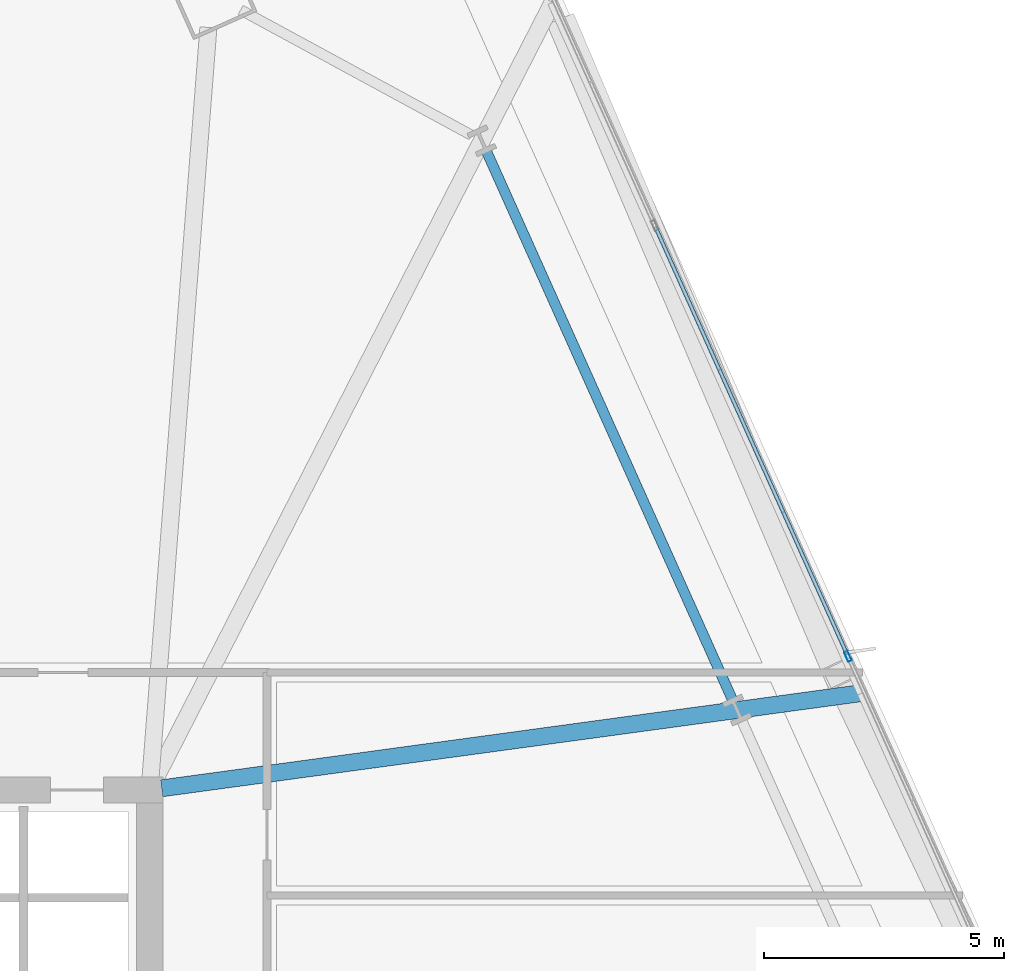
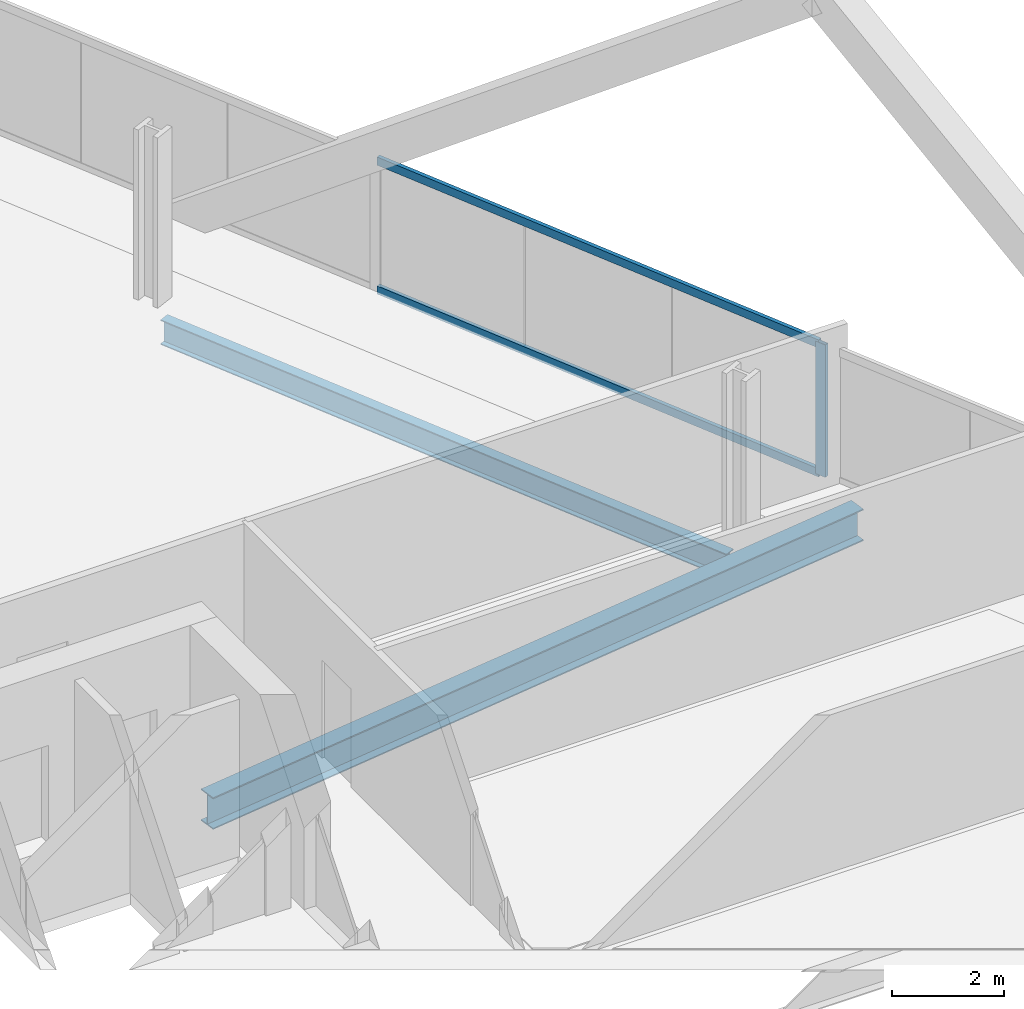
# One storey, part 21 of 38: 3 members, 2 beams, 1 element without a shape of its own.
"""IFC4 building model written with IfcOpenShell, lengths in metres."""

from ifc_helpers import new_model, si_unit, direction, frame, origin, origin_2d, place, context, subcontext, project, spatial, hollow_rectangle, i_section, extrude, material, material_profile, profile_set, type_object, element, aggregate, save


model = new_model("IFC4")

# Units and contexts
model_context = context("Model", 3, precision=1e-05, world=origin(), true_north=direction((0.0, 1.0)))
body_context = subcontext(model_context, "Body", "Model", "MODEL_VIEW")
ifc_project = project(units=[si_unit("LENGTHUNIT", "METRE"), si_unit("AREAUNIT", "SQUARE_METRE"), si_unit("VOLUMEUNIT", "CUBIC_METRE"), si_unit("PLANEANGLEUNIT", "RADIAN"), si_unit("MASSUNIT", "GRAM", prefix="KILO")], contexts=[model_context])

# Site, building, storey
site_placement = place(None, origin())
site = spatial("IfcSite", under=ifc_project, at=site_placement, CompositionType="ELEMENT")
building_placement = place(site_placement, origin())
building = spatial("IfcBuilding", under=site, at=building_placement, Name="Haldenkirk Collegiate Tower", CompositionType="ELEMENT")
storey_placement = place(building_placement, frame((0.0, 0.0, 109.199951171875)))
storey = spatial("IfcBuildingStorey", under=building, at=storey_placement, Name="L26", CompositionType="ELEMENT", Elevation=109.199951171875)

# Beams
ifc_material_1 = material(Name="Steel ASTM A992 Grade 50", Category="steel")
ifc_material_profile_1 = material_profile(ifc_material_1, i_section(OverallWidth=0.35498046875, OverallDepth=0.696044921875, WebThickness=0.015380859375, FlangeThickness=0.02490234375, at=origin_2d()), Name="W27X146")
ifc_profile_set_1 = profile_set([ifc_material_profile_1], Name="Steel ASTM A992 Grade 50")
beam_type_1 = type_object("IfcBeamType", Name="BM-GIRDER-W27X146", PredefinedType="BEAM", material=ifc_profile_set_1)
beam_1_placement = place(storey_placement, frame((59.868408203125, 36.022705078125, -0.64794921875), z_axis=(-0.990873426399, -0.134795596576, 0.0), x_axis=(0.134795596576, -0.990873426399, 0.0)))
element("IfcBeam", 1, at=beam_1_placement, inside=storey, type_object=beam_type_1, Name="L26 primary floor girder 09", PredefinedType="BEAM", context=body_context, shape_type="SweptSolid", body=[
    extrude(i_section(OverallWidth=0.35498046875, OverallDepth=0.696044921875, WebThickness=0.015380859375, FlangeThickness=0.02490234375, at=origin_2d()), origin(), (0.0, 0.0, 1.0), 14.750244140625),
])
ifc_material_profile_2 = material_profile(ifc_material_1, i_section(OverallWidth=0.2119140625, OverallDepth=0.5439453125, WebThickness=0.01318359375, FlangeThickness=0.021240234375, at=origin_2d()), Name="W21X83")
ifc_profile_set_2 = profile_set([ifc_material_profile_2], Name="Steel ASTM A992 Grade 50")
beam_type_2 = type_object("IfcBeamType", Name="BM-SPANDREL-W21X83", PredefinedType="SPANDREL", material=ifc_profile_set_2)
beam_2_placement = place(storey_placement, frame((57.15478515625, 35.89111328125, -0.572021484375), z_axis=(-0.409131464477, 0.912475448861, 0.0), x_axis=(-0.912475448861, -0.409131464477, 0.0)))
element("IfcBeam", 2, at=beam_2_placement, inside=storey, type_object=beam_type_2, Name="L26 perimeter spandrel beam 07", PredefinedType="SPANDREL", context=body_context, shape_type="SweptSolid", body=[
    extrude(i_section(OverallWidth=0.2119140625, OverallDepth=0.5439453125, WebThickness=0.01318359375, FlangeThickness=0.021240234375, at=origin_2d()), origin(), (0.0, 0.0, 1.0), 12.524169921875),
])

# Curtain wall, members
ifc_material_2 = material(Name="Anodised architectural bronze aluminium", Category="aluminium")
curtain_wall_type = type_object("IfcCurtainWallType", Name="CW-SYS1-CONVEX-LOW", PredefinedType="USERDEFINED", material=ifc_material_2)
curtain_wall_placement = place(storey_placement, origin())
curtain_wall = element("IfcCurtainWall", 3, at=curtain_wall_placement, inside=storey, type_object=curtain_wall_type, Name="L26 Lower tower convex bronze-framed unitised curtain wall", ObjectType="UNITISED CURTAIN WALL", PredefinedType="USERDEFINED")
ifc_material_profile_3 = material_profile(ifc_material_2, hollow_rectangle(XDim=0.080078125, YDim=0.219970703125, WallThickness=0.0048828125, at=origin_2d()), Name="CW-MUL-1A")
ifc_profile_set_3 = profile_set([ifc_material_profile_3], Name="Anodised architectural bronze aluminium")
member_type_1 = type_object("IfcMemberType", Name="CW-MUL-1A", PredefinedType="MULLION", material=ifc_profile_set_3)
member_1_placement = place(storey_placement, frame((59.569580078125, 36.787109375, 0.0), z_axis=(0.0, 0.0, 1.0), x_axis=(0.912476490018, 0.409129142403, 0.0)))
member_1 = element("IfcMember", 4, at=member_1_placement, type_object=member_type_1, Name="CW-1A mullion 3", PredefinedType="MULLION", context=body_context, shape_type="SweptSolid", body=[
    extrude(hollow_rectangle(XDim=0.080078125, YDim=0.219970703125, WallThickness=0.0048828125, at=origin_2d()), origin(), (0.0, 0.0, 1.0), 2.901123046875),
])
ifc_material_profile_4 = material_profile(ifc_material_2, hollow_rectangle(XDim=0.080078125, YDim=0.179931640625, WallThickness=0.0048828125, at=origin_2d()), Name="CW-TRN-1A")
ifc_profile_set_4 = profile_set([ifc_material_profile_4], Name="Anodised architectural bronze aluminium")
member_type_2 = type_object("IfcMemberType", Name="CW-TRN-1A", PredefinedType="USERDEFINED", material=ifc_profile_set_4)
member_2_placement = place(storey_placement, frame((55.55615234375, 45.738525390625, 0.0400390625), z_axis=(0.409113302832, -0.912483591878, 0.0), x_axis=(0.912483591878, 0.409113302832, 0.0)))
member_2 = element("IfcMember", 5, at=member_2_placement, type_object=member_type_2, Name="CW-1A transom 2.1", ObjectType="TRANSOM", PredefinedType="USERDEFINED", context=body_context, shape_type="SweptSolid", body=[
    extrude(hollow_rectangle(XDim=0.080078125, YDim=0.179931640625, WallThickness=0.0048828125, at=origin_2d()), origin(), (0.0, 0.0, 1.0), 9.77001953125),
])
member_3_placement = place(storey_placement, frame((55.55615234375, 45.738525390625, 2.861083984375), z_axis=(0.409113302832, -0.912483591878, 0.0), x_axis=(0.912483591878, 0.409113302832, 0.0)))
member_3 = element("IfcMember", 6, at=member_3_placement, type_object=member_type_2, Name="CW-1A transom 2.2", ObjectType="TRANSOM", PredefinedType="USERDEFINED", context=body_context, shape_type="SweptSolid", body=[
    extrude(hollow_rectangle(XDim=0.080078125, YDim=0.179931640625, WallThickness=0.0048828125, at=origin_2d()), origin(), (0.0, 0.0, 1.0), 9.77001953125),
])
aggregate(curtain_wall, [member_1, member_2, member_3])

save(model, "model.ifc")
